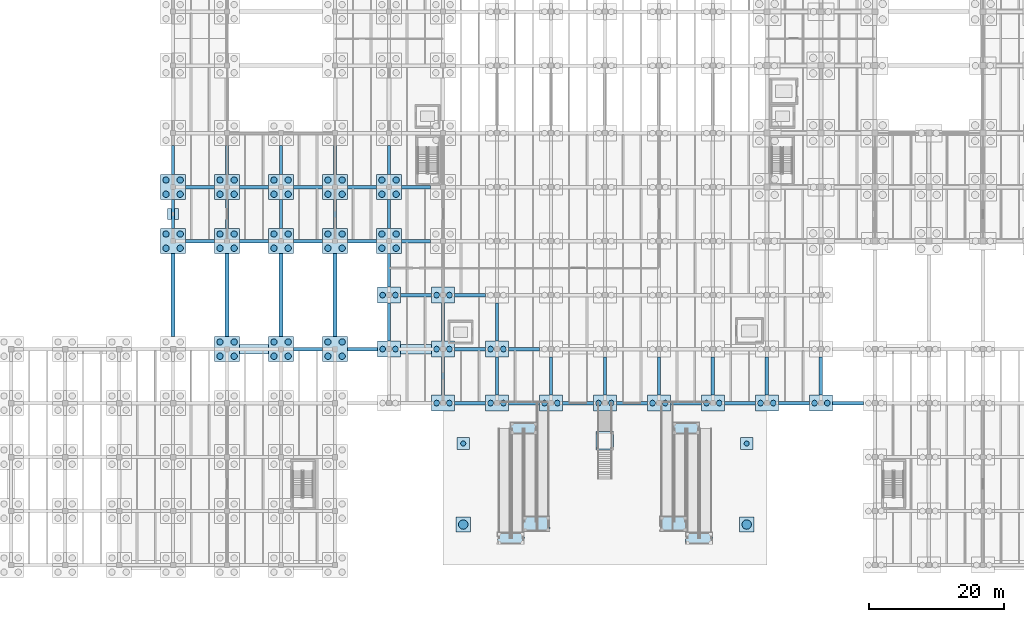
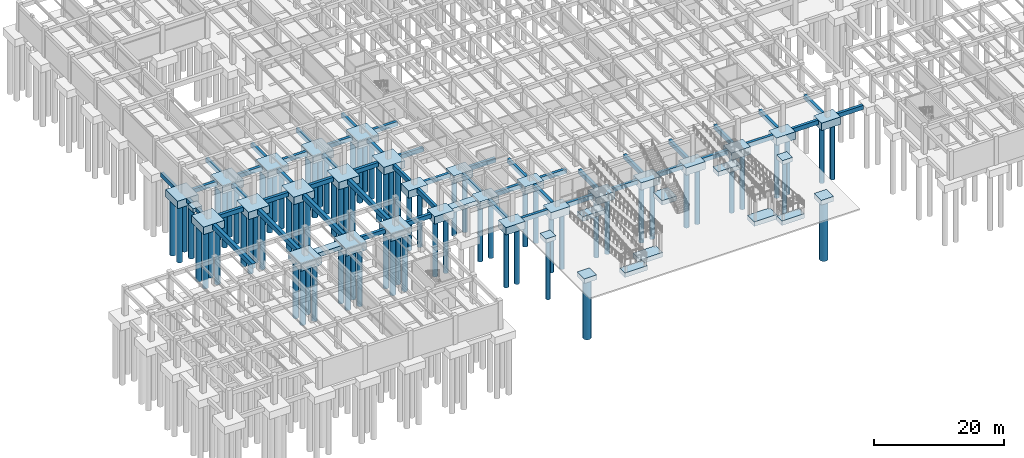
# One storey, part 2 of 44: 90 footings, 82 piles.
"""IFC4 building model written with IfcOpenShell, lengths in metres."""

from ifc_helpers import new_model, si_unit, direction, frame, origin, origin_2d, place, context, subcontext, project, spatial, rectangle, circle, extrude, material, material_profile, profile_set, type_object, element, save


model = new_model("IFC4")

# Units and contexts
model_context = context("Model", 3, precision=1e-05, world=origin(), true_north=direction((0.0, 1.0)))
body_context = subcontext(model_context, "Body", "Model", "MODEL_VIEW")
ifc_project = project(units=[si_unit("LENGTHUNIT", "METRE"), si_unit("AREAUNIT", "SQUARE_METRE"), si_unit("VOLUMEUNIT", "CUBIC_METRE"), si_unit("PLANEANGLEUNIT", "RADIAN"), si_unit("MASSUNIT", "GRAM", prefix="KILO")], contexts=[model_context])

# Site, building, storey
site_placement = place(None, origin())
site = spatial("IfcSite", under=ifc_project, at=site_placement, CompositionType="ELEMENT")
building_placement = place(site_placement, origin())
building = spatial("IfcBuilding", under=site, at=building_placement, Name="Pecanmere Concourse Central Library", CompositionType="ELEMENT")
storey_placement = place(building_placement, frame((0.0, 0.0, -5.39990234375)))
storey = spatial("IfcBuildingStorey", under=building, at=storey_placement, Name="B1", CompositionType="ELEMENT", Elevation=-5.39990234375)

# Footings
ifc_material_1 = material(Name="Concrete C40/50", Category="concrete")
ifc_material_profile_1 = material_profile(ifc_material_1, rectangle(XDim=0.5, YDim=0.800048828125, at=origin_2d()), Name="RC 500x800")
ifc_profile_set_1 = profile_set([ifc_material_profile_1], Name="Concrete C40/50")
footing_type_1 = type_object("IfcFootingType", Name="GBEAM_500x800", PredefinedType="FOOTING_BEAM", material=ifc_profile_set_1)
for number, where, z_axis, x_axis, name in (
    (1, (68.0, 24.0, -0.80029296875), (0.0, 0.0, 1.0), (1.0, 0.0, 0.0), "Foundation Tie Beam X-045"),
    (2, (76.0, 24.0, -0.80029296875), (0.0, 0.0, 1.0), (1.0, 0.0, 0.0), "Foundation Tie Beam X-046"),
    (3, (84.0, 24.0, -0.80029296875), (0.0, 0.0, 1.0), (1.0, 0.0, 0.0), "Foundation Tie Beam X-047"),
    (4, (92.0, 24.0, -0.80029296875), (0.0, 0.0, 1.0), (1.0, 0.0, 0.0), "Foundation Tie Beam X-048"),
    (5, (100.0, 24.0, -0.80029296875), (0.0, 0.0, 1.0), (1.0, 0.0, 0.0), "Foundation Tie Beam X-049"),
    (6, (108.0, 24.0, -0.80029296875), (0.0, 0.0, 1.0), (1.0, 0.0, 0.0), "Foundation Tie Beam X-050"),
    (7, (116.0, 24.0, -0.80029296875), (0.0, 0.0, 1.0), (1.0, 0.0, 0.0), "Foundation Tie Beam X-051"),
    (8, (124.0, 24.0, -0.80029296875), (0.0, 0.0, 1.0), (1.0, 0.0, 0.0), "Foundation Tie Beam X-052"),
):
    element("IfcFooting", number, at=place(storey_placement, frame(where, z_axis=z_axis, x_axis=x_axis)), inside=storey, type_object=footing_type_1, Name=name, PredefinedType="FOOTING_BEAM", context=body_context, shape_type="SweptSolid", body=[
        extrude(rectangle(XDim=4.60009765625, YDim=0.5, at=origin_2d()), origin(), (0.0, 0.0, 1.0), 0.800048828125),
    ])
footing_1_placement = place(storey_placement, frame((44.0, 32.0, -0.80029296875), z_axis=(0.0, 0.0, 1.0), x_axis=(1.0, 0.0, 0.0)))
element("IfcFooting", 9, at=footing_1_placement, inside=storey, type_object=footing_type_1, Name="Foundation Tie Beam X-064", PredefinedType="FOOTING_BEAM", context=body_context, shape_type="SweptSolid", body=[
    extrude(rectangle(XDim=4.300048828125, YDim=0.5, at=origin_2d()), origin(), (0.0, 0.0, 1.0), 0.800048828125),
])
footing_2_placement = place(storey_placement, frame((52.074951171875, 32.0, -0.80029296875), z_axis=(0.0, 0.0, 1.0), x_axis=(1.0, 0.0, 0.0)))
element("IfcFooting", 10, at=footing_2_placement, inside=storey, type_object=footing_type_1, Name="Foundation Tie Beam X-065", PredefinedType="FOOTING_BEAM", context=body_context, shape_type="SweptSolid", body=[
    extrude(rectangle(XDim=4.449951171875, YDim=0.5, at=origin_2d()), origin(), (0.0, 0.0, 1.0), 0.800048828125),
])
for number, where, z_axis, x_axis, name in (
    (11, (68.0, 32.0, -0.80029296875), (0.0, 0.0, 1.0), (1.0, 0.0, 0.0), "Foundation Tie Beam X-067"),
    (12, (76.0, 32.0, -0.80029296875), (0.0, 0.0, 1.0), (1.0, 0.0, 0.0), "Foundation Tie Beam X-068"),
    (13, (60.0, 40.0, -0.80029296875), (0.0, 0.0, 1.0), (1.0, 0.0, 0.0), "Foundation Tie Beam X-081"),
    (14, (68.0, 40.0, -0.80029296875), (0.0, 0.0, 1.0), (1.0, 0.0, 0.0), "Foundation Tie Beam X-082"),
):
    element("IfcFooting", number, at=place(storey_placement, frame(where, z_axis=z_axis, x_axis=x_axis)), inside=storey, type_object=footing_type_1, Name=name, PredefinedType="FOOTING_BEAM", context=body_context, shape_type="SweptSolid", body=[
        extrude(rectangle(XDim=4.60009765625, YDim=0.5, at=origin_2d()), origin(), (0.0, 0.0, 1.0), 0.800048828125),
    ])
for number, where, z_axis, x_axis, name in (
    (15, (28.0, 48.0, -0.80029296875), (0.0, 0.0, 1.0), (1.0, 0.0, 0.0), "Foundation Tie Beam X-089"),
    (16, (36.0, 48.0, -0.80029296875), (0.0, 0.0, 1.0), (1.0, 0.0, 0.0), "Foundation Tie Beam X-090"),
    (17, (44.0, 48.0, -0.80029296875), (0.0, 0.0, 1.0), (1.0, 0.0, 0.0), "Foundation Tie Beam X-091"),
    (18, (52.0, 48.0, -0.80029296875), (0.0, 0.0, 1.0), (1.0, 0.0, 0.0), "Foundation Tie Beam X-092"),
    (19, (60.0, 48.0, -0.80029296875), (0.0, 0.0, 1.0), (1.0, 0.0, 0.0), "Foundation Tie Beam X-093"),
    (20, (28.0, 56.0, -0.80029296875), (0.0, 0.0, 1.0), (1.0, 0.0, 0.0), "Foundation Tie Beam X-105"),
    (21, (36.0, 56.0, -0.80029296875), (0.0, 0.0, 1.0), (1.0, 0.0, 0.0), "Foundation Tie Beam X-106"),
    (22, (44.0, 56.0, -0.80029296875), (0.0, 0.0, 1.0), (1.0, 0.0, 0.0), "Foundation Tie Beam X-107"),
    (23, (52.0, 56.0, -0.80029296875), (0.0, 0.0, 1.0), (1.0, 0.0, 0.0), "Foundation Tie Beam X-108"),
    (24, (60.0, 56.0, -0.80029296875), (0.0, 0.0, 1.0), (1.0, 0.0, 0.0), "Foundation Tie Beam X-109"),
    (25, (24.0, 52.0, -0.80029296875), (0.0, 0.0, 1.0), (0.0, 1.0, 0.0), "Foundation Tie Beam Y-238"),
    (26, (24.0, 60.0, -0.80029296875), (0.0, 0.0, 1.0), (0.0, 1.0, 0.0), "Foundation Tie Beam Y-239"),
    (27, (32.0, 52.0, -0.80029296875), (0.0, 0.0, 1.0), (0.0, 1.0, 0.0), "Foundation Tie Beam Y-250"),
    (28, (32.0, 60.0, -0.80029296875), (0.0, 0.0, 1.0), (0.0, 1.0, 0.0), "Foundation Tie Beam Y-251"),
    (29, (40.0, 52.0, -0.80029296875), (0.0, 0.0, 1.0), (0.0, 1.0, 0.0), "Foundation Tie Beam Y-262"),
    (30, (40.0, 60.0, -0.80029296875), (0.0, 0.0, 1.0), (0.0, 1.0, 0.0), "Foundation Tie Beam Y-263"),
    (31, (48.0, 52.0, -0.80029296875), (0.0, 0.0, 1.0), (0.0, 1.0, 0.0), "Foundation Tie Beam Y-271"),
    (32, (48.0, 60.0, -0.80029296875), (0.0, 0.0, 1.0), (0.0, 1.0, 0.0), "Foundation Tie Beam Y-272"),
):
    element("IfcFooting", number, at=place(storey_placement, frame(where, z_axis=z_axis, x_axis=x_axis)), inside=storey, type_object=footing_type_1, Name=name, PredefinedType="FOOTING_BEAM", context=body_context, shape_type="SweptSolid", body=[
        extrude(rectangle(XDim=4.300048828125, YDim=0.5, at=origin_2d()), origin(), (0.0, 0.0, 1.0), 0.800048828125),
    ])
footing_3_placement = place(storey_placement, frame((56.0, 36.0, -0.80029296875), z_axis=(0.0, 0.0, 1.0), x_axis=(0.0, 1.0, 0.0)))
element("IfcFooting", 33, at=footing_3_placement, inside=storey, type_object=footing_type_1, Name="Foundation Tie Beam Y-279", PredefinedType="FOOTING_BEAM", context=body_context, shape_type="SweptSolid", body=[
    extrude(rectangle(XDim=5.60009765625, YDim=0.5, at=origin_2d()), origin(), (0.0, 0.0, 1.0), 0.800048828125),
])
footing_4_placement = place(storey_placement, frame((56.0, 43.675048828125, -0.80029296875), z_axis=(0.0, 0.0, 1.0), x_axis=(0.0, 1.0, 0.0)))
element("IfcFooting", 34, at=footing_4_placement, inside=storey, type_object=footing_type_1, Name="Foundation Tie Beam Y-280", PredefinedType="FOOTING_BEAM", context=body_context, shape_type="SweptSolid", body=[
    extrude(rectangle(XDim=4.949951171875, YDim=0.5, at=origin_2d()), origin(), (0.0, 0.0, 1.0), 0.800048828125),
])
for number, where, z_axis, x_axis, name in (
    (35, (56.0, 52.0, -0.80029296875), (0.0, 0.0, 1.0), (0.0, 1.0, 0.0), "Foundation Tie Beam Y-281"),
    (36, (56.0, 60.0, -0.80029296875), (0.0, 0.0, 1.0), (0.0, 1.0, 0.0), "Foundation Tie Beam Y-282"),
):
    element("IfcFooting", number, at=place(storey_placement, frame(where, z_axis=z_axis, x_axis=x_axis)), inside=storey, type_object=footing_type_1, Name=name, PredefinedType="FOOTING_BEAM", context=body_context, shape_type="SweptSolid", body=[
        extrude(rectangle(XDim=4.300048828125, YDim=0.5, at=origin_2d()), origin(), (0.0, 0.0, 1.0), 0.800048828125),
    ])
for number, where, z_axis, x_axis, name in (
    (37, (64.0, 28.0, -0.80029296875), (0.0, 0.0, 1.0), (0.0, 1.0, 0.0), "Foundation Tie Beam Y-288"),
    (38, (64.0, 36.0, -0.80029296875), (0.0, 0.0, 1.0), (0.0, 1.0, 0.0), "Foundation Tie Beam Y-289"),
    (39, (72.0, 28.0, -0.80029296875), (0.0, 0.0, 1.0), (0.0, 1.0, 0.0), "Foundation Tie Beam Y-298"),
    (40, (72.0, 36.0, -0.80029296875), (0.0, 0.0, 1.0), (0.0, 1.0, 0.0), "Foundation Tie Beam Y-299"),
    (41, (80.0, 28.0, -0.80029296875), (0.0, 0.0, 1.0), (0.0, 1.0, 0.0), "Foundation Tie Beam Y-310"),
    (42, (88.0, 28.0, -0.80029296875), (0.0, 0.0, 1.0), (0.0, 1.0, 0.0), "Foundation Tie Beam Y-322"),
    (43, (96.0, 28.0, -0.80029296875), (0.0, 0.0, 1.0), (0.0, 1.0, 0.0), "Foundation Tie Beam Y-334"),
    (44, (104.0, 28.0, -0.80029296875), (0.0, 0.0, 1.0), (0.0, 1.0, 0.0), "Foundation Tie Beam Y-346"),
    (45, (112.0, 28.0, -0.80029296875), (0.0, 0.0, 1.0), (0.0, 1.0, 0.0), "Foundation Tie Beam Y-358"),
    (46, (120.0, 28.0, -0.80029296875), (0.0, 0.0, 1.0), (0.0, 1.0, 0.0), "Foundation Tie Beam Y-368"),
):
    element("IfcFooting", number, at=place(storey_placement, frame(where, z_axis=z_axis, x_axis=x_axis)), inside=storey, type_object=footing_type_1, Name=name, PredefinedType="FOOTING_BEAM", context=body_context, shape_type="SweptSolid", body=[
        extrude(rectangle(XDim=5.60009765625, YDim=0.5, at=origin_2d()), origin(), (0.0, 0.0, 1.0), 0.800048828125),
    ])
ifc_material_2 = material(Name="Concrete C40/50", Category="concrete")
ifc_material_profile_2 = material_profile(ifc_material_2, rectangle(XDim=0.60009765625, YDim=0.89990234375, at=origin_2d()), Name="RC 600x900")
ifc_profile_set_2 = profile_set([ifc_material_profile_2], Name="Concrete C40/50")
footing_type_2 = type_object("IfcFootingType", Name="GBEAM_600x900", PredefinedType="FOOTING_BEAM", material=ifc_profile_set_2)
for number, where, z_axis, x_axis, name in (
    (47, (24.0, 40.0, -0.900146484375), (0.0, 0.0, 1.0), (0.0, 1.0, 0.0), "Foundation Tie Beam Y-237"),
    (48, (32.0, 40.0, -0.900146484375), (0.0, 0.0, 1.0), (0.0, 1.0, 0.0), "Foundation Tie Beam Y-249"),
    (49, (40.0, 40.0, -0.900146484375), (0.0, 0.0, 1.0), (0.0, 1.0, 0.0), "Foundation Tie Beam Y-261"),
    (50, (48.0, 40.0, -0.900146484375), (0.0, 0.0, 1.0), (0.0, 1.0, 0.0), "Foundation Tie Beam Y-270"),
):
    element("IfcFooting", number, at=place(storey_placement, frame(where, z_axis=z_axis, x_axis=x_axis)), inside=storey, type_object=footing_type_2, Name=name, PredefinedType="FOOTING_BEAM", context=body_context, shape_type="SweptSolid", body=[
        extrude(rectangle(XDim=12.300048828125, YDim=0.60009765625, at=origin_2d()), origin(), (0.0, 0.0, 1.0), 0.89990234375),
    ])
ifc_material_3 = material(Name="Concrete C35/45", Category="concrete")
footing_type_3 = type_object("IfcFootingType", Name="PAD_1600x1600", PredefinedType="PAD_FOOTING", material=ifc_material_3)
footing_5_placement = place(storey_placement, frame((24.0, 52.0, -0.75), z_axis=(0.0, 0.0, 1.0), x_axis=(1.0, 0.0, 0.0)))
element("IfcFooting", 51, at=footing_5_placement, inside=storey, type_object=footing_type_3, Name="Pilaster Pad Footing 01", PredefinedType="PAD_FOOTING", context=body_context, shape_type="SweptSolid", body=[
    extrude(rectangle(XDim=1.60009765625, YDim=1.60009765625, at=origin_2d()), origin(), (0.0, 0.0, 1.0), 0.75),
])
ifc_material_4 = material(Name="Concrete C35/45", Category="concrete")
footing_type_4 = type_object("IfcFootingType", Name="PAD_1800x1800", PredefinedType="PAD_FOOTING", material=ifc_material_4)
for number, where, z_axis, x_axis, name in (
    (52, (67.0, 18.0, -0.80029296875), (0.0, 0.0, 1.0), (1.0, 0.0, 0.0), "Forecourt Pier Cap 3"),
    (53, (109.0, 18.0, -0.80029296875), (0.0, 0.0, 1.0), (1.0, 0.0, 0.0), "Forecourt Pier Cap 4"),
):
    element("IfcFooting", number, at=place(storey_placement, frame(where, z_axis=z_axis, x_axis=x_axis)), inside=storey, type_object=footing_type_4, Name=name, PredefinedType="PAD_FOOTING", context=body_context, shape_type="SweptSolid", body=[
        extrude(rectangle(XDim=1.800048828125, YDim=1.800048828125, at=origin_2d()), origin(), (0.0, 0.0, 1.0), 0.800048828125),
    ])
ifc_material_5 = material(Name="Concrete C35/45", Category="concrete")
footing_type_5 = type_object("IfcFootingType", Name="PAD_2200x2200", PredefinedType="PAD_FOOTING", material=ifc_material_5)
for number, where, z_axis, x_axis, name in (
    (54, (67.0, 6.0, -0.900146484375), (0.0, 0.0, 1.0), (1.0, 0.0, 0.0), "Forecourt Pier Cap 1"),
    (55, (109.0, 6.0, -0.900146484375), (0.0, 0.0, 1.0), (1.0, 0.0, 0.0), "Forecourt Pier Cap 2"),
):
    element("IfcFooting", number, at=place(storey_placement, frame(where, z_axis=z_axis, x_axis=x_axis)), inside=storey, type_object=footing_type_5, Name=name, PredefinedType="PAD_FOOTING", context=body_context, shape_type="SweptSolid", body=[
        extrude(rectangle(XDim=2.199951171875, YDim=2.199951171875, at=origin_2d()), origin(), (0.0, 0.0, 1.0), 0.89990234375),
    ])
ifc_material_6 = material(Name="Concrete C35/45", Category="concrete")
footing_type_6 = type_object("IfcFootingType", Name="PAD_2600x2700", PredefinedType="PAD_FOOTING", material=ifc_material_6)
footing_6_placement = place(storey_placement, frame((88.0, 18.405029296875, -0.85009765625), z_axis=(0.0, 0.0, 1.0), x_axis=(1.0, 0.0, 0.0)))
element("IfcFooting", 56, at=footing_6_placement, inside=storey, type_object=footing_type_6, Name="ST-M1 Combined Mid-Landing Pad", PredefinedType="PAD_FOOTING", context=body_context, shape_type="SweptSolid", body=[
    extrude(rectangle(XDim=2.60009765625, YDim=2.699951171875, at=origin_2d()), origin(), (0.0, 0.0, 1.0), 0.85009765625),
])
ifc_material_7 = material(Name="Concrete C35/45", Category="concrete")
footing_type_7 = type_object("IfcFootingType", Name="PAD_4000x1620", PredefinedType="PAD_FOOTING", material=ifc_material_7)
for number, where, z_axis, x_axis, name in (
    (57, (74.050048828125, 3.949951171875, -0.85009765625), (0.0, 0.0, 1.0), (1.0, 0.0, 0.0), "RMP_LND_WS1 Combined Pad Footing"),
    (58, (75.949951171875, 20.25, -0.85009765625), (0.0, 0.0, 1.0), (1.0, 0.0, 0.0), "RMP_LND_WN1 Combined Pad Footing"),
    (59, (101.949951171875, 3.949951171875, -0.85009765625), (0.0, 0.0, 1.0), (1.0, 0.0, 0.0), "RMP_LND_ES1 Combined Pad Footing"),
    (60, (100.050048828125, 20.25, -0.85009765625), (0.0, 0.0, 1.0), (1.0, 0.0, 0.0), "RMP_LND_EN1 Combined Pad Footing"),
):
    element("IfcFooting", number, at=place(storey_placement, frame(where, z_axis=z_axis, x_axis=x_axis)), inside=storey, type_object=footing_type_7, Name=name, PredefinedType="PAD_FOOTING", context=body_context, shape_type="SweptSolid", body=[
        extrude(rectangle(XDim=4.0, YDim=1.6201171875, at=origin_2d()), origin(), (0.0, 0.0, 1.0), 0.85009765625),
    ])
ifc_material_8 = material(Name="Concrete C35/45", Category="concrete")
footing_type_8 = type_object("IfcFootingType", Name="PAD_4000x2120", PredefinedType="PAD_FOOTING", material=ifc_material_8)
for number, where, z_axis, x_axis, name in (
    (61, (77.85009765625, 6.10009765625, -0.85009765625), (0.0, 0.0, 1.0), (1.0, 0.0, 0.0), "RMP_LND_WS2 Combined Pad Footing"),
    (62, (98.14990234375, 6.10009765625, -0.85009765625), (0.0, 0.0, 1.0), (1.0, 0.0, 0.0), "RMP_LND_ES2 Combined Pad Footing"),
):
    element("IfcFooting", number, at=place(storey_placement, frame(where, z_axis=z_axis, x_axis=x_axis)), inside=storey, type_object=footing_type_8, Name=name, PredefinedType="PAD_FOOTING", context=body_context, shape_type="SweptSolid", body=[
        extrude(rectangle(XDim=4.0, YDim=2.1201171875, at=origin_2d()), origin(), (0.0, 0.0, 1.0), 0.85009765625),
    ])
ifc_material_9 = material(Name="Concrete C40/50", Category="concrete")
footing_type_9 = type_object("IfcFootingType", Name="PCAP_3400x2400", PredefinedType="PILE_CAP", material=ifc_material_9)
for number, where, z_axis, x_axis, name in (
    (63, (56.0, 32.0, -1.400146484375), (0.0, 0.0, 1.0), (1.0, 0.0, 0.0), "Drilled Pier Cap PC-05 at (56,32)"),
    (64, (56.0, 40.0, -1.400146484375), (0.0, 0.0, 1.0), (1.0, 0.0, 0.0), "Drilled Pier Cap PC-05 at (56,40)"),
    (65, (64.0, 24.0, -1.400146484375), (0.0, 0.0, 1.0), (1.0, 0.0, 0.0), "Drilled Pier Cap PC-05 at (64,24)"),
    (66, (64.0, 32.0, -1.400146484375), (0.0, 0.0, 1.0), (1.0, 0.0, 0.0), "Drilled Pier Cap PC-05 at (64,32)"),
    (67, (64.0, 40.0, -1.400146484375), (0.0, 0.0, 1.0), (1.0, 0.0, 0.0), "Drilled Pier Cap PC-05 at (64,40)"),
    (68, (72.0, 24.0, -1.400146484375), (0.0, 0.0, 1.0), (1.0, 0.0, 0.0), "Drilled Pier Cap PC-05 at (72,24)"),
    (69, (72.0, 32.0, -1.400146484375), (0.0, 0.0, 1.0), (1.0, 0.0, 0.0), "Drilled Pier Cap PC-05 at (72,32)"),
    (70, (80.0, 24.0, -1.400146484375), (0.0, 0.0, 1.0), (1.0, 0.0, 0.0), "Drilled Pier Cap PC-05 at (80,24)"),
    (71, (88.0, 24.0, -1.400146484375), (0.0, 0.0, 1.0), (1.0, 0.0, 0.0), "Drilled Pier Cap PC-05 at (88,24)"),
    (72, (96.0, 24.0, -1.400146484375), (0.0, 0.0, 1.0), (1.0, 0.0, 0.0), "Drilled Pier Cap PC-05 at (96,24)"),
    (73, (104.0, 24.0, -1.400146484375), (0.0, 0.0, 1.0), (1.0, 0.0, 0.0), "Drilled Pier Cap PC-05 at (104,24)"),
    (74, (112.0, 24.0, -1.400146484375), (0.0, 0.0, 1.0), (1.0, 0.0, 0.0), "Drilled Pier Cap PC-05 at (112,24)"),
    (75, (120.0, 24.0, -1.400146484375), (0.0, 0.0, 1.0), (1.0, 0.0, 0.0), "Drilled Pier Cap PC-05 at (120,24)"),
):
    element("IfcFooting", number, at=place(storey_placement, frame(where, z_axis=z_axis, x_axis=x_axis)), inside=storey, type_object=footing_type_9, Name=name, PredefinedType="PILE_CAP", context=body_context, shape_type="SweptSolid", body=[
        extrude(rectangle(XDim=3.39990234375, YDim=2.39990234375, at=origin_2d()), origin(), (0.0, 0.0, 1.0), 1.39990234375),
    ])
ifc_material_10 = material(Name="Concrete C40/50", Category="concrete")
footing_type_10 = type_object("IfcFootingType", Name="PCAP_3700x3700", PredefinedType="PILE_CAP", material=ifc_material_10)
for number, where, z_axis, x_axis, name in (
    (76, (24.0, 48.0, -1.400146484375), (0.0, 0.0, 1.0), (1.0, 0.0, 0.0), "Drilled Pier Cap PC-03 at (24,48)"),
    (77, (24.0, 56.0, -1.400146484375), (0.0, 0.0, 1.0), (1.0, 0.0, 0.0), "Drilled Pier Cap PC-03 at (24,56)"),
    (78, (32.0, 32.0, -1.400146484375), (0.0, 0.0, 1.0), (1.0, 0.0, 0.0), "Drilled Pier Cap PC-03 at (32,32)"),
    (79, (32.0, 48.0, -1.400146484375), (0.0, 0.0, 1.0), (1.0, 0.0, 0.0), "Drilled Pier Cap PC-03 at (32,48)"),
    (80, (32.0, 56.0, -1.400146484375), (0.0, 0.0, 1.0), (1.0, 0.0, 0.0), "Drilled Pier Cap PC-03 at (32,56)"),
    (81, (40.0, 32.0, -1.400146484375), (0.0, 0.0, 1.0), (1.0, 0.0, 0.0), "Drilled Pier Cap PC-03 at (40,32)"),
    (82, (40.0, 48.0, -1.400146484375), (0.0, 0.0, 1.0), (1.0, 0.0, 0.0), "Drilled Pier Cap PC-03 at (40,48)"),
    (83, (40.0, 56.0, -1.400146484375), (0.0, 0.0, 1.0), (1.0, 0.0, 0.0), "Drilled Pier Cap PC-03 at (40,56)"),
    (84, (48.0, 32.0, -1.400146484375), (0.0, 0.0, 1.0), (1.0, 0.0, 0.0), "Drilled Pier Cap PC-03 at (48,32)"),
    (85, (48.0, 48.0, -1.400146484375), (0.0, 0.0, 1.0), (1.0, 0.0, 0.0), "Drilled Pier Cap PC-03 at (48,48)"),
    (86, (48.0, 56.0, -1.400146484375), (0.0, 0.0, 1.0), (1.0, 0.0, 0.0), "Drilled Pier Cap PC-03 at (48,56)"),
    (87, (56.0, 48.0, -1.400146484375), (0.0, 0.0, 1.0), (1.0, 0.0, 0.0), "Drilled Pier Cap PC-03 at (56,48)"),
    (88, (56.0, 56.0, -1.400146484375), (0.0, 0.0, 1.0), (1.0, 0.0, 0.0), "Drilled Pier Cap PC-03 at (56,56)"),
):
    element("IfcFooting", number, at=place(storey_placement, frame(where, z_axis=z_axis, x_axis=x_axis)), inside=storey, type_object=footing_type_10, Name=name, PredefinedType="PILE_CAP", context=body_context, shape_type="SweptSolid", body=[
        extrude(rectangle(XDim=3.699951171875, YDim=3.699951171875, at=origin_2d()), origin(), (0.0, 0.0, 1.0), 1.39990234375),
    ])

# Piles
ifc_material_11 = material(Name="Concrete C35/45", Category="concrete")
ifc_material_profile_3 = material_profile(ifc_material_11, circle(Radius=0.699951171875, at=origin_2d()), Name="PIER D1400")
ifc_profile_set_3 = profile_set([ifc_material_profile_3], Name="Concrete C35/45")
pile_type_1 = type_object("IfcPileType", Name="PILE_D1400", PredefinedType="BORED", material=ifc_profile_set_3)
for number, where, z_axis, x_axis, name in (
    (89, (67.0, 6.0, -0.800048828125), (0.0, 0.0, -1.0), (1.0, 0.0, 0.0), "Forecourt Bored Pier 1"),
    (90, (109.0, 6.0, -0.800048828125), (0.0, 0.0, -1.0), (1.0, 0.0, 0.0), "Forecourt Bored Pier 2"),
):
    element("IfcPile", number, at=place(storey_placement, frame(where, z_axis=z_axis, x_axis=x_axis)), inside=storey, type_object=pile_type_1, Name=name, PredefinedType="BORED", context=body_context, shape_type="SweptSolid", body=[
        extrude(circle(Radius=0.699951171875, at=origin_2d()), origin(), (0.0, 0.0, 1.0), 11.199951171875),
    ])
ifc_material_12 = material(Name="Concrete C35/45", Category="concrete")
ifc_material_profile_4 = material_profile(ifc_material_12, circle(Radius=0.375, at=origin_2d()), Name="PIER D750")
ifc_profile_set_4 = profile_set([ifc_material_profile_4], Name="Concrete C35/45")
pile_type_2 = type_object("IfcPileType", Name="PILE_D750", PredefinedType="BORED", material=ifc_profile_set_4)
for number, where, z_axis, x_axis, name in (
    (91, (67.0, 18.0, -0.7001953125), (0.0, 0.0, -1.0), (1.0, 0.0, 0.0), "Forecourt Bored Pier 3"),
    (92, (109.0, 18.0, -0.7001953125), (0.0, 0.0, -1.0), (1.0, 0.0, 0.0), "Forecourt Bored Pier 4"),
):
    element("IfcPile", number, at=place(storey_placement, frame(where, z_axis=z_axis, x_axis=x_axis)), inside=storey, type_object=pile_type_2, Name=name, PredefinedType="BORED", context=body_context, shape_type="SweptSolid", body=[
        extrude(circle(Radius=0.375, at=origin_2d()), origin(), (0.0, 0.0, 1.0), 11.300048828125),
    ])
ifc_material_13 = material(Name="Concrete C35/45", Category="concrete")
ifc_material_profile_5 = material_profile(ifc_material_13, circle(Radius=0.425048828125, at=origin_2d()), Name="PIER D850")
ifc_profile_set_5 = profile_set([ifc_material_profile_5], Name="Concrete C35/45")
pile_type_3 = type_object("IfcPileType", Name="PILE_D850", PredefinedType="BORED", material=ifc_profile_set_5)
for number, where, z_axis, x_axis, name in (
    (93, (55.050048828125, 32.0, -1.300048828125), (0.0, 0.0, -1.0), (1.0, 0.0, 0.0), "Bored Pier PL-05 067.1"),
    (94, (56.949951171875, 32.0, -1.300048828125), (0.0, 0.0, -1.0), (1.0, 0.0, 0.0), "Bored Pier PL-05 067.2"),
    (95, (55.050048828125, 40.0, -1.300048828125), (0.0, 0.0, -1.0), (1.0, 0.0, 0.0), "Bored Pier PL-05 068.1"),
    (96, (56.949951171875, 40.0, -1.300048828125), (0.0, 0.0, -1.0), (1.0, 0.0, 0.0), "Bored Pier PL-05 068.2"),
    (97, (63.050048828125, 24.0, -1.300048828125), (0.0, 0.0, -1.0), (1.0, 0.0, 0.0), "Bored Pier PL-05 077.1"),
    (98, (64.949951171875, 24.0, -1.300048828125), (0.0, 0.0, -1.0), (1.0, 0.0, 0.0), "Bored Pier PL-05 077.2"),
    (99, (63.050048828125, 32.0, -1.300048828125), (0.0, 0.0, -1.0), (1.0, 0.0, 0.0), "Bored Pier PL-05 078.1"),
    (100, (64.949951171875, 32.0, -1.300048828125), (0.0, 0.0, -1.0), (1.0, 0.0, 0.0), "Bored Pier PL-05 078.2"),
    (101, (63.050048828125, 40.0, -1.300048828125), (0.0, 0.0, -1.0), (1.0, 0.0, 0.0), "Bored Pier PL-05 079.1"),
    (102, (64.949951171875, 40.0, -1.300048828125), (0.0, 0.0, -1.0), (1.0, 0.0, 0.0), "Bored Pier PL-05 079.2"),
    (103, (71.050048828125, 24.0, -1.300048828125), (0.0, 0.0, -1.0), (1.0, 0.0, 0.0), "Bored Pier PL-05 088.1"),
    (104, (72.949951171875, 24.0, -1.300048828125), (0.0, 0.0, -1.0), (1.0, 0.0, 0.0), "Bored Pier PL-05 088.2"),
    (105, (71.050048828125, 32.0, -1.300048828125), (0.0, 0.0, -1.0), (1.0, 0.0, 0.0), "Bored Pier PL-05 089.1"),
    (106, (72.949951171875, 32.0, -1.300048828125), (0.0, 0.0, -1.0), (1.0, 0.0, 0.0), "Bored Pier PL-05 089.2"),
    (107, (79.050048828125, 24.0, -1.300048828125), (0.0, 0.0, -1.0), (1.0, 0.0, 0.0), "Bored Pier PL-05 101.1"),
    (108, (80.949951171875, 24.0, -1.300048828125), (0.0, 0.0, -1.0), (1.0, 0.0, 0.0), "Bored Pier PL-05 101.2"),
    (109, (87.050048828125, 24.0, -1.300048828125), (0.0, 0.0, -1.0), (1.0, 0.0, 0.0), "Bored Pier PL-05 114.1"),
    (110, (88.949951171875, 24.0, -1.300048828125), (0.0, 0.0, -1.0), (1.0, 0.0, 0.0), "Bored Pier PL-05 114.2"),
    (111, (95.050048828125, 24.0, -1.300048828125), (0.0, 0.0, -1.0), (1.0, 0.0, 0.0), "Bored Pier PL-05 127.1"),
    (112, (96.949951171875, 24.0, -1.300048828125), (0.0, 0.0, -1.0), (1.0, 0.0, 0.0), "Bored Pier PL-05 127.2"),
    (113, (103.050048828125, 24.0, -1.300048828125), (0.0, 0.0, -1.0), (1.0, 0.0, 0.0), "Bored Pier PL-05 140.1"),
    (114, (104.949951171875, 24.0, -1.300048828125), (0.0, 0.0, -1.0), (1.0, 0.0, 0.0), "Bored Pier PL-05 140.2"),
    (115, (111.050048828125, 24.0, -1.300048828125), (0.0, 0.0, -1.0), (1.0, 0.0, 0.0), "Bored Pier PL-05 153.1"),
    (116, (112.949951171875, 24.0, -1.300048828125), (0.0, 0.0, -1.0), (1.0, 0.0, 0.0), "Bored Pier PL-05 153.2"),
    (117, (119.050048828125, 24.0, -1.300048828125), (0.0, 0.0, -1.0), (1.0, 0.0, 0.0), "Bored Pier PL-05 164.1"),
    (118, (120.949951171875, 24.0, -1.300048828125), (0.0, 0.0, -1.0), (1.0, 0.0, 0.0), "Bored Pier PL-05 164.2"),
):
    element("IfcPile", number, at=place(storey_placement, frame(where, z_axis=z_axis, x_axis=x_axis)), inside=storey, type_object=pile_type_3, Name=name, PredefinedType="BORED", context=body_context, shape_type="SweptSolid", body=[
        extrude(circle(Radius=0.425048828125, at=origin_2d()), origin(), (0.0, 0.0, 1.0), 10.699951171875),
    ])
ifc_material_14 = material(Name="Concrete C35/45", Category="concrete")
ifc_material_profile_6 = material_profile(ifc_material_14, circle(Radius=0.47509765625, at=origin_2d()), Name="PIER D950")
ifc_profile_set_6 = profile_set([ifc_material_profile_6], Name="Concrete C35/45")
pile_type_4 = type_object("IfcPileType", Name="PILE_D950", PredefinedType="BORED", material=ifc_profile_set_6)
for number, where, z_axis, x_axis, name in (
    (119, (22.949951171875, 46.949951171875, -1.300048828125), (0.0, 0.0, -1.0), (1.0, 0.0, 0.0), "Bored Pier PL-04 021.1"),
    (120, (25.050048828125, 46.949951171875, -1.300048828125), (0.0, 0.0, -1.0), (1.0, 0.0, 0.0), "Bored Pier PL-04 021.2"),
    (121, (22.949951171875, 49.050048828125, -1.300048828125), (0.0, 0.0, -1.0), (1.0, 0.0, 0.0), "Bored Pier PL-04 021.3"),
    (122, (25.050048828125, 49.050048828125, -1.300048828125), (0.0, 0.0, -1.0), (1.0, 0.0, 0.0), "Bored Pier PL-04 021.4"),
    (123, (22.949951171875, 54.949951171875, -1.300048828125), (0.0, 0.0, -1.0), (1.0, 0.0, 0.0), "Bored Pier PL-04 022.1"),
    (124, (25.050048828125, 54.949951171875, -1.300048828125), (0.0, 0.0, -1.0), (1.0, 0.0, 0.0), "Bored Pier PL-04 022.2"),
    (125, (22.949951171875, 57.050048828125, -1.300048828125), (0.0, 0.0, -1.0), (1.0, 0.0, 0.0), "Bored Pier PL-04 022.3"),
    (126, (25.050048828125, 57.050048828125, -1.300048828125), (0.0, 0.0, -1.0), (1.0, 0.0, 0.0), "Bored Pier PL-04 022.4"),
    (127, (30.949951171875, 30.949951171875, -1.300048828125), (0.0, 0.0, -1.0), (1.0, 0.0, 0.0), "Bored Pier PL-04 033.1"),
    (128, (33.050048828125, 30.949951171875, -1.300048828125), (0.0, 0.0, -1.0), (1.0, 0.0, 0.0), "Bored Pier PL-04 033.2"),
    (129, (30.949951171875, 33.050048828125, -1.300048828125), (0.0, 0.0, -1.0), (1.0, 0.0, 0.0), "Bored Pier PL-04 033.3"),
    (130, (33.050048828125, 33.050048828125, -1.300048828125), (0.0, 0.0, -1.0), (1.0, 0.0, 0.0), "Bored Pier PL-04 033.4"),
    (131, (30.949951171875, 46.949951171875, -1.300048828125), (0.0, 0.0, -1.0), (1.0, 0.0, 0.0), "Bored Pier PL-04 034.1"),
    (132, (33.050048828125, 46.949951171875, -1.300048828125), (0.0, 0.0, -1.0), (1.0, 0.0, 0.0), "Bored Pier PL-04 034.2"),
    (133, (30.949951171875, 49.050048828125, -1.300048828125), (0.0, 0.0, -1.0), (1.0, 0.0, 0.0), "Bored Pier PL-04 034.3"),
    (134, (33.050048828125, 49.050048828125, -1.300048828125), (0.0, 0.0, -1.0), (1.0, 0.0, 0.0), "Bored Pier PL-04 034.4"),
    (135, (30.949951171875, 54.949951171875, -1.300048828125), (0.0, 0.0, -1.0), (1.0, 0.0, 0.0), "Bored Pier PL-04 035.1"),
    (136, (33.050048828125, 54.949951171875, -1.300048828125), (0.0, 0.0, -1.0), (1.0, 0.0, 0.0), "Bored Pier PL-04 035.2"),
    (137, (30.949951171875, 57.050048828125, -1.300048828125), (0.0, 0.0, -1.0), (1.0, 0.0, 0.0), "Bored Pier PL-04 035.3"),
    (138, (33.050048828125, 57.050048828125, -1.300048828125), (0.0, 0.0, -1.0), (1.0, 0.0, 0.0), "Bored Pier PL-04 035.4"),
    (139, (38.949951171875, 30.949951171875, -1.300048828125), (0.0, 0.0, -1.0), (1.0, 0.0, 0.0), "Bored Pier PL-04 046.1"),
    (140, (41.050048828125, 30.949951171875, -1.300048828125), (0.0, 0.0, -1.0), (1.0, 0.0, 0.0), "Bored Pier PL-04 046.2"),
    (141, (38.949951171875, 33.050048828125, -1.300048828125), (0.0, 0.0, -1.0), (1.0, 0.0, 0.0), "Bored Pier PL-04 046.3"),
    (142, (41.050048828125, 33.050048828125, -1.300048828125), (0.0, 0.0, -1.0), (1.0, 0.0, 0.0), "Bored Pier PL-04 046.4"),
    (143, (38.949951171875, 46.949951171875, -1.300048828125), (0.0, 0.0, -1.0), (1.0, 0.0, 0.0), "Bored Pier PL-04 047.1"),
    (144, (41.050048828125, 46.949951171875, -1.300048828125), (0.0, 0.0, -1.0), (1.0, 0.0, 0.0), "Bored Pier PL-04 047.2"),
    (145, (38.949951171875, 49.050048828125, -1.300048828125), (0.0, 0.0, -1.0), (1.0, 0.0, 0.0), "Bored Pier PL-04 047.3"),
    (146, (41.050048828125, 49.050048828125, -1.300048828125), (0.0, 0.0, -1.0), (1.0, 0.0, 0.0), "Bored Pier PL-04 047.4"),
    (147, (38.949951171875, 54.949951171875, -1.300048828125), (0.0, 0.0, -1.0), (1.0, 0.0, 0.0), "Bored Pier PL-04 048.1"),
    (148, (41.050048828125, 54.949951171875, -1.300048828125), (0.0, 0.0, -1.0), (1.0, 0.0, 0.0), "Bored Pier PL-04 048.2"),
    (149, (38.949951171875, 57.050048828125, -1.300048828125), (0.0, 0.0, -1.0), (1.0, 0.0, 0.0), "Bored Pier PL-04 048.3"),
    (150, (41.050048828125, 57.050048828125, -1.300048828125), (0.0, 0.0, -1.0), (1.0, 0.0, 0.0), "Bored Pier PL-04 048.4"),
    (151, (46.949951171875, 30.949951171875, -1.300048828125), (0.0, 0.0, -1.0), (1.0, 0.0, 0.0), "Bored Pier PL-04 057.1"),
    (152, (49.050048828125, 30.949951171875, -1.300048828125), (0.0, 0.0, -1.0), (1.0, 0.0, 0.0), "Bored Pier PL-04 057.2"),
    (153, (46.949951171875, 33.050048828125, -1.300048828125), (0.0, 0.0, -1.0), (1.0, 0.0, 0.0), "Bored Pier PL-04 057.3"),
    (154, (49.050048828125, 33.050048828125, -1.300048828125), (0.0, 0.0, -1.0), (1.0, 0.0, 0.0), "Bored Pier PL-04 057.4"),
    (155, (46.949951171875, 46.949951171875, -1.300048828125), (0.0, 0.0, -1.0), (1.0, 0.0, 0.0), "Bored Pier PL-04 058.1"),
    (156, (49.050048828125, 46.949951171875, -1.300048828125), (0.0, 0.0, -1.0), (1.0, 0.0, 0.0), "Bored Pier PL-04 058.2"),
    (157, (46.949951171875, 49.050048828125, -1.300048828125), (0.0, 0.0, -1.0), (1.0, 0.0, 0.0), "Bored Pier PL-04 058.3"),
    (158, (49.050048828125, 49.050048828125, -1.300048828125), (0.0, 0.0, -1.0), (1.0, 0.0, 0.0), "Bored Pier PL-04 058.4"),
    (159, (46.949951171875, 54.949951171875, -1.300048828125), (0.0, 0.0, -1.0), (1.0, 0.0, 0.0), "Bored Pier PL-04 059.1"),
    (160, (49.050048828125, 54.949951171875, -1.300048828125), (0.0, 0.0, -1.0), (1.0, 0.0, 0.0), "Bored Pier PL-04 059.2"),
    (161, (46.949951171875, 57.050048828125, -1.300048828125), (0.0, 0.0, -1.0), (1.0, 0.0, 0.0), "Bored Pier PL-04 059.3"),
    (162, (49.050048828125, 57.050048828125, -1.300048828125), (0.0, 0.0, -1.0), (1.0, 0.0, 0.0), "Bored Pier PL-04 059.4"),
    (163, (54.949951171875, 46.949951171875, -1.300048828125), (0.0, 0.0, -1.0), (1.0, 0.0, 0.0), "Bored Pier PL-04 069.1"),
    (164, (57.050048828125, 46.949951171875, -1.300048828125), (0.0, 0.0, -1.0), (1.0, 0.0, 0.0), "Bored Pier PL-04 069.2"),
    (165, (54.949951171875, 49.050048828125, -1.300048828125), (0.0, 0.0, -1.0), (1.0, 0.0, 0.0), "Bored Pier PL-04 069.3"),
    (166, (57.050048828125, 49.050048828125, -1.300048828125), (0.0, 0.0, -1.0), (1.0, 0.0, 0.0), "Bored Pier PL-04 069.4"),
    (167, (54.949951171875, 54.949951171875, -1.300048828125), (0.0, 0.0, -1.0), (1.0, 0.0, 0.0), "Bored Pier PL-04 070.1"),
    (168, (57.050048828125, 54.949951171875, -1.300048828125), (0.0, 0.0, -1.0), (1.0, 0.0, 0.0), "Bored Pier PL-04 070.2"),
    (169, (54.949951171875, 57.050048828125, -1.300048828125), (0.0, 0.0, -1.0), (1.0, 0.0, 0.0), "Bored Pier PL-04 070.3"),
    (170, (57.050048828125, 57.050048828125, -1.300048828125), (0.0, 0.0, -1.0), (1.0, 0.0, 0.0), "Bored Pier PL-04 070.4"),
):
    element("IfcPile", number, at=place(storey_placement, frame(where, z_axis=z_axis, x_axis=x_axis)), inside=storey, type_object=pile_type_4, Name=name, PredefinedType="BORED", context=body_context, shape_type="SweptSolid", body=[
        extrude(circle(Radius=0.47509765625, at=origin_2d()), origin(), (0.0, 0.0, 1.0), 10.699951171875),
    ])

# Footings
ifc_material_15 = material(Name="Concrete C40/50", Category="concrete")
ifc_material_profile_7 = material_profile(ifc_material_15, rectangle(XDim=1.39990234375, YDim=0.800048828125, at=origin_2d()), Name="RC 1400x800")
ifc_profile_set_7 = profile_set([ifc_material_profile_7], Name="Concrete C40/50")
footing_type_11 = type_object("IfcFootingType", Name="STRIP_1400x800", PredefinedType="STRIP_FOOTING", material=ifc_profile_set_7)
footing_7_placement = place(storey_placement, frame((36.0, 32.0, -0.80029296875), z_axis=(0.0, 0.0, 1.0), x_axis=(1.0, 0.0, 0.0)))
element("IfcFooting", 171, at=footing_7_placement, inside=storey, type_object=footing_type_11, Name="Foundation Tie Beam X-063", PredefinedType="STRIP_FOOTING", context=body_context, shape_type="SweptSolid", body=[
    extrude(rectangle(XDim=4.300048828125, YDim=1.39990234375, at=origin_2d()), origin(), (0.0, 0.0, 1.0), 0.800048828125),
])
footing_8_placement = place(storey_placement, frame((60.0, 32.0, -0.80029296875), z_axis=(0.0, 0.0, 1.0), x_axis=(1.0, 0.0, 0.0)))
element("IfcFooting", 172, at=footing_8_placement, inside=storey, type_object=footing_type_11, Name="Foundation Tie Beam X-066", PredefinedType="STRIP_FOOTING", context=body_context, shape_type="SweptSolid", body=[
    extrude(rectangle(XDim=4.60009765625, YDim=1.39990234375, at=origin_2d()), origin(), (0.0, 0.0, 1.0), 0.800048828125),
])

save(model, "model.ifc")
